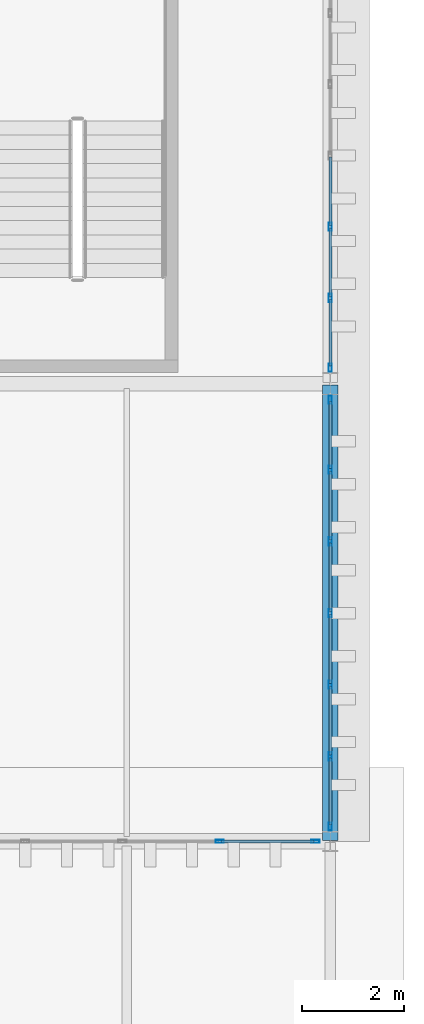
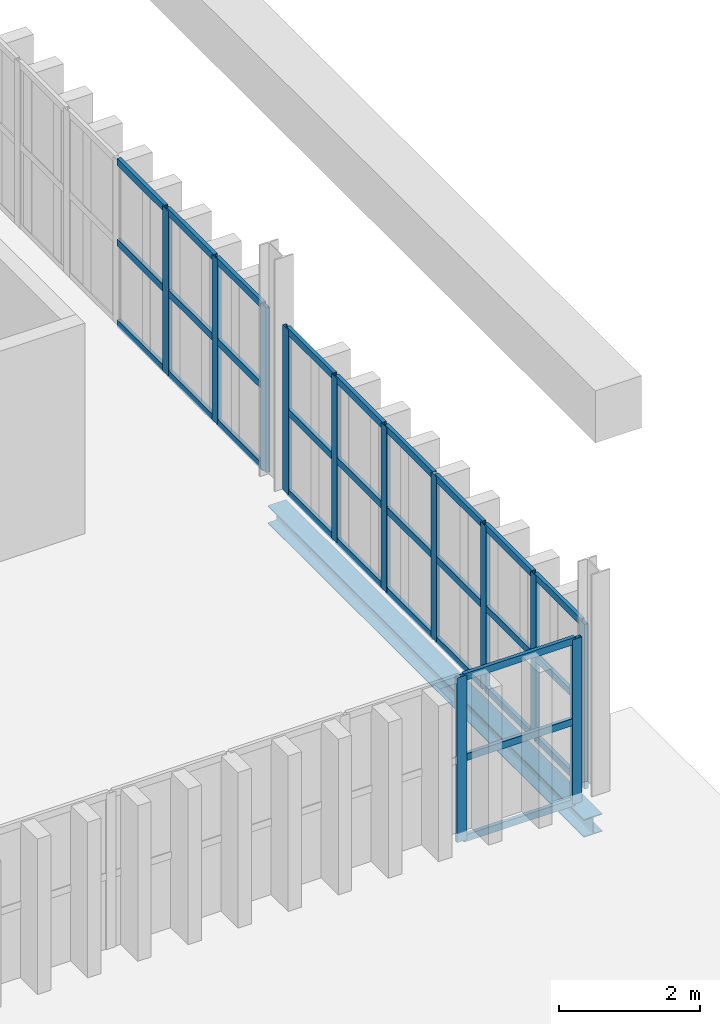
# One storey, part 49 of 102: 42 members, 1 beam, 3 elements without a shape of their own.
"""IFC4 building model written with IfcOpenShell, lengths in metres."""

from ifc_helpers import new_model, si_unit, direction, frame, origin, origin_2d, place, context, subcontext, project, spatial, hollow_rectangle, i_section, extrude, material, layer, layer_set, material_profile, profile_set, type_object, element, aggregate, save


model = new_model("IFC4")

# Units and contexts
model_context = context("Model", 3, precision=1e-05, world=origin(), true_north=direction((0.0, 1.0)))
body_context = subcontext(model_context, "Body", "Model", "MODEL_VIEW")
ifc_project = project(units=[si_unit("LENGTHUNIT", "METRE"), si_unit("AREAUNIT", "SQUARE_METRE"), si_unit("VOLUMEUNIT", "CUBIC_METRE"), si_unit("PLANEANGLEUNIT", "RADIAN"), si_unit("MASSUNIT", "GRAM", prefix="KILO")], contexts=[model_context])

# Site, building, storey
site_placement = place(None, origin())
site = spatial("IfcSite", under=ifc_project, at=site_placement, CompositionType="ELEMENT")
building_placement = place(site_placement, origin())
building = spatial("IfcBuilding", under=site, at=building_placement, Name="Barlavento Convention Centre", CompositionType="ELEMENT")
storey_placement = place(building_placement, frame((0.0, 0.0, 22.800048828125)))
storey = spatial("IfcBuildingStorey", under=building, at=storey_placement, Name="L04", CompositionType="ELEMENT", Elevation=22.800048828125)

# Curtain wall, members
ifc_material_1 = material(Name="Powder-coated aluminium and Low-E glass", Category="aluminium")
ifc_layer = layer(ifc_material_1, 0.18505859375)
ifc_layer_set = layer_set([ifc_layer], Name="ARC-CW-CONF-L04")
curtain_wall_type = type_object("IfcCurtainWallType", Name="ARC-CW-CONF-L04", PredefinedType="NOTDEFINED", material=ifc_layer_set)
curtain_wall_1_placement = place(storey_placement, origin())
curtain_wall_1 = element("IfcCurtainWall", 1, at=curtain_wall_1_placement, inside=storey, type_object=curtain_wall_type, Name="L04 unitised curtain wall CW09", PredefinedType="NOTDEFINED")
ifc_material_2 = material(Name="Powder-coated aluminium", Category="aluminium")
ifc_material_profile_1 = material_profile(ifc_material_2, hollow_rectangle(XDim=0.06005859375, YDim=0.159912109375, WallThickness=0.00390625, at=origin_2d()), Name="AL-MULL 60x160x4")
ifc_profile_set_1 = profile_set([ifc_material_profile_1], Name="Powder-coated aluminium")
member_type_1 = type_object("IfcMemberType", Name="ARC-CWM-60X160", PredefinedType="MULLION", material=ifc_profile_set_1)
member_1_placement = place(storey_placement, frame((192.0, 27.2900390625, 0.0), z_axis=(0.0, 0.0, 1.0), x_axis=(-1.0, 0.0, 0.0)))
member_1 = element("IfcMember", 2, at=member_1_placement, type_object=member_type_1, Name="CW09 mullion 1", PredefinedType="MULLION", context=body_context, shape_type="SweptSolid", body=[
    extrude(hollow_rectangle(XDim=0.06005859375, YDim=0.159912109375, WallThickness=0.00390625, at=origin_2d()), origin(), (0.0, 0.0, 1.0), 2.849853515625),
])
member_2_placement = place(storey_placement, frame((192.0, 28.669189453125, 0.0), z_axis=(0.0, 0.0, 1.0), x_axis=(-1.0, 0.0, 0.0)))
member_2 = element("IfcMember", 3, at=member_2_placement, type_object=member_type_1, Name="CW09 mullion 2", PredefinedType="MULLION", context=body_context, shape_type="SweptSolid", body=[
    extrude(hollow_rectangle(XDim=0.06005859375, YDim=0.159912109375, WallThickness=0.00390625, at=origin_2d()), origin(), (0.0, 0.0, 1.0), 2.849853515625),
])
member_3_placement = place(storey_placement, frame((192.0, 30.078369140625, 0.0), z_axis=(0.0, 0.0, 1.0), x_axis=(-1.0, 0.0, 0.0)))
member_3 = element("IfcMember", 4, at=member_3_placement, type_object=member_type_1, Name="CW09 mullion 3", PredefinedType="MULLION", context=body_context, shape_type="SweptSolid", body=[
    extrude(hollow_rectangle(XDim=0.06005859375, YDim=0.159912109375, WallThickness=0.00390625, at=origin_2d()), origin(), (0.0, 0.0, 1.0), 2.849853515625),
])
member_4_placement = place(storey_placement, frame((192.0, 31.487548828125, 0.0), z_axis=(0.0, 0.0, 1.0), x_axis=(-1.0, 0.0, 0.0)))
member_4 = element("IfcMember", 5, at=member_4_placement, type_object=member_type_1, Name="CW09 mullion 4", PredefinedType="MULLION", context=body_context, shape_type="SweptSolid", body=[
    extrude(hollow_rectangle(XDim=0.06005859375, YDim=0.159912109375, WallThickness=0.00390625, at=origin_2d()), origin(), (0.0, 0.0, 1.0), 2.849853515625),
])
member_5_placement = place(storey_placement, frame((192.0, 32.896728515625, 0.0), z_axis=(0.0, 0.0, 1.0), x_axis=(-1.0, 0.0, 0.0)))
member_5 = element("IfcMember", 6, at=member_5_placement, type_object=member_type_1, Name="CW09 mullion 5", PredefinedType="MULLION", context=body_context, shape_type="SweptSolid", body=[
    extrude(hollow_rectangle(XDim=0.06005859375, YDim=0.159912109375, WallThickness=0.00390625, at=origin_2d()), origin(), (0.0, 0.0, 1.0), 2.849853515625),
])
member_6_placement = place(storey_placement, frame((192.0, 34.305908203125, 0.0), z_axis=(0.0, 0.0, 1.0), x_axis=(-1.0, 0.0, 0.0)))
member_6 = element("IfcMember", 7, at=member_6_placement, type_object=member_type_1, Name="CW09 mullion 6", PredefinedType="MULLION", context=body_context, shape_type="SweptSolid", body=[
    extrude(hollow_rectangle(XDim=0.06005859375, YDim=0.159912109375, WallThickness=0.00390625, at=origin_2d()), origin(), (0.0, 0.0, 1.0), 2.849853515625),
])
member_7_placement = place(storey_placement, frame((192.0, 35.68505859375, 0.0), z_axis=(0.0, 0.0, 1.0), x_axis=(-1.0, 0.0, 0.0)))
member_7 = element("IfcMember", 8, at=member_7_placement, type_object=member_type_1, Name="CW09 mullion 7", PredefinedType="MULLION", context=body_context, shape_type="SweptSolid", body=[
    extrude(hollow_rectangle(XDim=0.06005859375, YDim=0.159912109375, WallThickness=0.00390625, at=origin_2d()), origin(), (0.0, 0.0, 1.0), 2.849853515625),
])

curtain_wall_2_placement = place(storey_placement, origin())
curtain_wall_2 = element("IfcCurtainWall", 9, at=curtain_wall_2_placement, inside=storey, type_object=curtain_wall_type, Name="L04 unitised curtain wall CW09", PredefinedType="NOTDEFINED")
member_8_placement = place(storey_placement, frame((192.0, 36.31494140625, 0.0), z_axis=(0.0, 0.0, 1.0), x_axis=(-1.0, 0.0, 0.0)))
member_8 = element("IfcMember", 10, at=member_8_placement, type_object=member_type_1, Name="CW09 mullion 1", PredefinedType="MULLION", context=body_context, shape_type="SweptSolid", body=[
    extrude(hollow_rectangle(XDim=0.06005859375, YDim=0.159912109375, WallThickness=0.00390625, at=origin_2d()), origin(), (0.0, 0.0, 1.0), 2.849853515625),
])
member_9_placement = place(storey_placement, frame((192.0, 37.685791015625, 0.0), z_axis=(0.0, 0.0, 1.0), x_axis=(-1.0, 0.0, 0.0)))
member_9 = element("IfcMember", 11, at=member_9_placement, type_object=member_type_1, Name="CW09 mullion 2", PredefinedType="MULLION", context=body_context, shape_type="SweptSolid", body=[
    extrude(hollow_rectangle(XDim=0.06005859375, YDim=0.159912109375, WallThickness=0.00390625, at=origin_2d()), origin(), (0.0, 0.0, 1.0), 2.849853515625),
])
member_10_placement = place(storey_placement, frame((192.0, 39.086669921875, 0.0), z_axis=(0.0, 0.0, 1.0), x_axis=(-1.0, 0.0, 0.0)))
member_10 = element("IfcMember", 12, at=member_10_placement, type_object=member_type_1, Name="CW09 mullion 3", PredefinedType="MULLION", context=body_context, shape_type="SweptSolid", body=[
    extrude(hollow_rectangle(XDim=0.06005859375, YDim=0.159912109375, WallThickness=0.00390625, at=origin_2d()), origin(), (0.0, 0.0, 1.0), 2.849853515625),
])

curtain_wall_3_placement = place(storey_placement, origin())
curtain_wall_3 = element("IfcCurtainWall", 13, at=curtain_wall_3_placement, inside=storey, type_object=curtain_wall_type, Name="L04 unitised curtain wall CW09", PredefinedType="NOTDEFINED")
member_11_placement = place(storey_placement, frame((189.82666015625, 27.0, 0.0), z_axis=(0.0, 0.0, 1.0), x_axis=(0.0, 1.0, 0.0)))
member_11 = element("IfcMember", 14, at=member_11_placement, type_object=member_type_1, Name="CW09 mullion 6", PredefinedType="MULLION", context=body_context, shape_type="SweptSolid", body=[
    extrude(hollow_rectangle(XDim=0.06005859375, YDim=0.159912109375, WallThickness=0.00390625, at=origin_2d()), origin(), (0.0, 0.0, 1.0), 2.849853515625),
])
member_12_placement = place(storey_placement, frame((191.7099609375, 27.0, 0.0), z_axis=(0.0, 0.0, 1.0), x_axis=(0.0, 1.0, 0.0)))
member_12 = element("IfcMember", 15, at=member_12_placement, type_object=member_type_1, Name="CW09 mullion 7", PredefinedType="MULLION", context=body_context, shape_type="SweptSolid", body=[
    extrude(hollow_rectangle(XDim=0.06005859375, YDim=0.159912109375, WallThickness=0.00390625, at=origin_2d()), origin(), (0.0, 0.0, 1.0), 2.849853515625),
])

# Member
ifc_material_profile_2 = material_profile(ifc_material_2, hollow_rectangle(XDim=0.06005859375, YDim=0.1201171875, WallThickness=0.00390625, at=origin_2d()), Name="AL-TRAN 60x120x4")
ifc_profile_set_2 = profile_set([ifc_material_profile_2], Name="Powder-coated aluminium")
member_type_2 = type_object("IfcMemberType", Name="ARC-CWT-60X120", PredefinedType="USERDEFINED", material=ifc_profile_set_2)
member_13_placement = place(storey_placement, frame((192.0, 27.320068359375, 0.030029296875), z_axis=(0.0, 1.0, 0.0), x_axis=(-1.0, 0.0, 0.0)))
member_13 = element("IfcMember", 16, at=member_13_placement, type_object=member_type_2, Name="CW09 transom 1.1", ObjectType="TRANSOM", PredefinedType="USERDEFINED", context=body_context, shape_type="SweptSolid", body=[
    extrude(hollow_rectangle(XDim=0.06005859375, YDim=0.1201171875, WallThickness=0.00390625, at=origin_2d()), origin(), (0.0, 0.0, 1.0), 1.319091796875),
])

member_14_placement = place(storey_placement, frame((192.0, 27.320068359375, 1.425048828125), z_axis=(0.0, 1.0, 0.0), x_axis=(-1.0, 0.0, 0.0)))
member_14 = element("IfcMember", 17, at=member_14_placement, type_object=member_type_2, Name="CW09 transom 1.2", ObjectType="TRANSOM", PredefinedType="USERDEFINED", context=body_context, shape_type="SweptSolid", body=[
    extrude(hollow_rectangle(XDim=0.06005859375, YDim=0.1201171875, WallThickness=0.00390625, at=origin_2d()), origin(), (0.0, 0.0, 1.0), 1.319091796875),
])

member_15_placement = place(storey_placement, frame((192.0, 27.320068359375, 2.820068359375), z_axis=(0.0, 1.0, 0.0), x_axis=(-1.0, 0.0, 0.0)))
member_15 = element("IfcMember", 18, at=member_15_placement, type_object=member_type_2, Name="CW09 transom 1.3", ObjectType="TRANSOM", PredefinedType="USERDEFINED", context=body_context, shape_type="SweptSolid", body=[
    extrude(hollow_rectangle(XDim=0.06005859375, YDim=0.1201171875, WallThickness=0.00390625, at=origin_2d()), origin(), (0.0, 0.0, 1.0), 1.319091796875),
])

member_16_placement = place(storey_placement, frame((192.0, 28.69921875, 0.030029296875), z_axis=(0.0, 1.0, 0.0), x_axis=(-1.0, 0.0, 0.0)))
member_16 = element("IfcMember", 19, at=member_16_placement, type_object=member_type_2, Name="CW09 transom 2.1", ObjectType="TRANSOM", PredefinedType="USERDEFINED", context=body_context, shape_type="SweptSolid", body=[
    extrude(hollow_rectangle(XDim=0.06005859375, YDim=0.1201171875, WallThickness=0.00390625, at=origin_2d()), origin(), (0.0, 0.0, 1.0), 1.34912109375),
])

member_17_placement = place(storey_placement, frame((192.0, 28.69921875, 1.425048828125), z_axis=(0.0, 1.0, 0.0), x_axis=(-1.0, 0.0, 0.0)))
member_17 = element("IfcMember", 20, at=member_17_placement, type_object=member_type_2, Name="CW09 transom 2.2", ObjectType="TRANSOM", PredefinedType="USERDEFINED", context=body_context, shape_type="SweptSolid", body=[
    extrude(hollow_rectangle(XDim=0.06005859375, YDim=0.1201171875, WallThickness=0.00390625, at=origin_2d()), origin(), (0.0, 0.0, 1.0), 1.34912109375),
])

member_18_placement = place(storey_placement, frame((192.0, 28.69921875, 2.820068359375), z_axis=(0.0, 1.0, 0.0), x_axis=(-1.0, 0.0, 0.0)))
member_18 = element("IfcMember", 21, at=member_18_placement, type_object=member_type_2, Name="CW09 transom 2.3", ObjectType="TRANSOM", PredefinedType="USERDEFINED", context=body_context, shape_type="SweptSolid", body=[
    extrude(hollow_rectangle(XDim=0.06005859375, YDim=0.1201171875, WallThickness=0.00390625, at=origin_2d()), origin(), (0.0, 0.0, 1.0), 1.34912109375),
])

member_19_placement = place(storey_placement, frame((192.0, 30.1083984375, 0.030029296875), z_axis=(0.0, 1.0, 0.0), x_axis=(-1.0, 0.0, 0.0)))
member_19 = element("IfcMember", 22, at=member_19_placement, type_object=member_type_2, Name="CW09 transom 3.1", ObjectType="TRANSOM", PredefinedType="USERDEFINED", context=body_context, shape_type="SweptSolid", body=[
    extrude(hollow_rectangle(XDim=0.06005859375, YDim=0.1201171875, WallThickness=0.00390625, at=origin_2d()), origin(), (0.0, 0.0, 1.0), 1.34912109375),
])

member_20_placement = place(storey_placement, frame((192.0, 30.1083984375, 1.425048828125), z_axis=(0.0, 1.0, 0.0), x_axis=(-1.0, 0.0, 0.0)))
member_20 = element("IfcMember", 23, at=member_20_placement, type_object=member_type_2, Name="CW09 transom 3.2", ObjectType="TRANSOM", PredefinedType="USERDEFINED", context=body_context, shape_type="SweptSolid", body=[
    extrude(hollow_rectangle(XDim=0.06005859375, YDim=0.1201171875, WallThickness=0.00390625, at=origin_2d()), origin(), (0.0, 0.0, 1.0), 1.34912109375),
])

member_21_placement = place(storey_placement, frame((192.0, 30.1083984375, 2.820068359375), z_axis=(0.0, 1.0, 0.0), x_axis=(-1.0, 0.0, 0.0)))
member_21 = element("IfcMember", 24, at=member_21_placement, type_object=member_type_2, Name="CW09 transom 3.3", ObjectType="TRANSOM", PredefinedType="USERDEFINED", context=body_context, shape_type="SweptSolid", body=[
    extrude(hollow_rectangle(XDim=0.06005859375, YDim=0.1201171875, WallThickness=0.00390625, at=origin_2d()), origin(), (0.0, 0.0, 1.0), 1.34912109375),
])

member_22_placement = place(storey_placement, frame((192.0, 31.517578125, 0.030029296875), z_axis=(0.0, 1.0, 0.0), x_axis=(-1.0, 0.0, 0.0)))
member_22 = element("IfcMember", 25, at=member_22_placement, type_object=member_type_2, Name="CW09 transom 4.1", ObjectType="TRANSOM", PredefinedType="USERDEFINED", context=body_context, shape_type="SweptSolid", body=[
    extrude(hollow_rectangle(XDim=0.06005859375, YDim=0.1201171875, WallThickness=0.00390625, at=origin_2d()), origin(), (0.0, 0.0, 1.0), 1.34912109375),
])

member_23_placement = place(storey_placement, frame((192.0, 31.517578125, 1.425048828125), z_axis=(0.0, 1.0, 0.0), x_axis=(-1.0, 0.0, 0.0)))
member_23 = element("IfcMember", 26, at=member_23_placement, type_object=member_type_2, Name="CW09 transom 4.2", ObjectType="TRANSOM", PredefinedType="USERDEFINED", context=body_context, shape_type="SweptSolid", body=[
    extrude(hollow_rectangle(XDim=0.06005859375, YDim=0.1201171875, WallThickness=0.00390625, at=origin_2d()), origin(), (0.0, 0.0, 1.0), 1.34912109375),
])

member_24_placement = place(storey_placement, frame((192.0, 31.517578125, 2.820068359375), z_axis=(0.0, 1.0, 0.0), x_axis=(-1.0, 0.0, 0.0)))
member_24 = element("IfcMember", 27, at=member_24_placement, type_object=member_type_2, Name="CW09 transom 4.3", ObjectType="TRANSOM", PredefinedType="USERDEFINED", context=body_context, shape_type="SweptSolid", body=[
    extrude(hollow_rectangle(XDim=0.06005859375, YDim=0.1201171875, WallThickness=0.00390625, at=origin_2d()), origin(), (0.0, 0.0, 1.0), 1.34912109375),
])

member_25_placement = place(storey_placement, frame((192.0, 32.9267578125, 0.030029296875), z_axis=(0.0, 1.0, 0.0), x_axis=(-1.0, 0.0, 0.0)))
member_25 = element("IfcMember", 28, at=member_25_placement, type_object=member_type_2, Name="CW09 transom 5.1", ObjectType="TRANSOM", PredefinedType="USERDEFINED", context=body_context, shape_type="SweptSolid", body=[
    extrude(hollow_rectangle(XDim=0.06005859375, YDim=0.1201171875, WallThickness=0.00390625, at=origin_2d()), origin(), (0.0, 0.0, 1.0), 1.34912109375),
])

member_26_placement = place(storey_placement, frame((192.0, 32.9267578125, 1.425048828125), z_axis=(0.0, 1.0, 0.0), x_axis=(-1.0, 0.0, 0.0)))
member_26 = element("IfcMember", 29, at=member_26_placement, type_object=member_type_2, Name="CW09 transom 5.2", ObjectType="TRANSOM", PredefinedType="USERDEFINED", context=body_context, shape_type="SweptSolid", body=[
    extrude(hollow_rectangle(XDim=0.06005859375, YDim=0.1201171875, WallThickness=0.00390625, at=origin_2d()), origin(), (0.0, 0.0, 1.0), 1.34912109375),
])

member_27_placement = place(storey_placement, frame((192.0, 32.9267578125, 2.820068359375), z_axis=(0.0, 1.0, 0.0), x_axis=(-1.0, 0.0, 0.0)))
member_27 = element("IfcMember", 30, at=member_27_placement, type_object=member_type_2, Name="CW09 transom 5.3", ObjectType="TRANSOM", PredefinedType="USERDEFINED", context=body_context, shape_type="SweptSolid", body=[
    extrude(hollow_rectangle(XDim=0.06005859375, YDim=0.1201171875, WallThickness=0.00390625, at=origin_2d()), origin(), (0.0, 0.0, 1.0), 1.34912109375),
])

member_28_placement = place(storey_placement, frame((192.0, 34.3359375, 0.030029296875), z_axis=(0.0, 1.0, 0.0), x_axis=(-1.0, 0.0, 0.0)))
member_28 = element("IfcMember", 31, at=member_28_placement, type_object=member_type_2, Name="CW09 transom 6.1", ObjectType="TRANSOM", PredefinedType="USERDEFINED", context=body_context, shape_type="SweptSolid", body=[
    extrude(hollow_rectangle(XDim=0.06005859375, YDim=0.1201171875, WallThickness=0.00390625, at=origin_2d()), origin(), (0.0, 0.0, 1.0), 1.319091796875),
])

member_29_placement = place(storey_placement, frame((192.0, 34.3359375, 1.425048828125), z_axis=(0.0, 1.0, 0.0), x_axis=(-1.0, 0.0, 0.0)))
member_29 = element("IfcMember", 32, at=member_29_placement, type_object=member_type_2, Name="CW09 transom 6.2", ObjectType="TRANSOM", PredefinedType="USERDEFINED", context=body_context, shape_type="SweptSolid", body=[
    extrude(hollow_rectangle(XDim=0.06005859375, YDim=0.1201171875, WallThickness=0.00390625, at=origin_2d()), origin(), (0.0, 0.0, 1.0), 1.319091796875),
])

member_30_placement = place(storey_placement, frame((192.0, 34.3359375, 2.820068359375), z_axis=(0.0, 1.0, 0.0), x_axis=(-1.0, 0.0, 0.0)))
member_30 = element("IfcMember", 33, at=member_30_placement, type_object=member_type_2, Name="CW09 transom 6.3", ObjectType="TRANSOM", PredefinedType="USERDEFINED", context=body_context, shape_type="SweptSolid", body=[
    extrude(hollow_rectangle(XDim=0.06005859375, YDim=0.1201171875, WallThickness=0.00390625, at=origin_2d()), origin(), (0.0, 0.0, 1.0), 1.319091796875),
])

aggregate(curtain_wall_1, [member_1, member_2, member_3, member_4, member_5, member_6, member_7, member_13, member_14, member_15, member_16, member_17, member_18, member_19, member_20, member_21, member_22, member_23, member_24, member_25, member_26, member_27, member_28, member_29, member_30])

member_31_placement = place(storey_placement, frame((192.0, 36.344970703125, 0.030029296875), z_axis=(0.0, 1.0, 0.0), x_axis=(-1.0, 0.0, 0.0)))
member_31 = element("IfcMember", 34, at=member_31_placement, type_object=member_type_2, Name="CW09 transom 1.1", ObjectType="TRANSOM", PredefinedType="USERDEFINED", context=body_context, shape_type="SweptSolid", body=[
    extrude(hollow_rectangle(XDim=0.06005859375, YDim=0.1201171875, WallThickness=0.00390625, at=origin_2d()), origin(), (0.0, 0.0, 1.0), 1.310791015625),
])

member_32_placement = place(storey_placement, frame((192.0, 36.344970703125, 1.425048828125), z_axis=(0.0, 1.0, 0.0), x_axis=(-1.0, 0.0, 0.0)))
member_32 = element("IfcMember", 35, at=member_32_placement, type_object=member_type_2, Name="CW09 transom 1.2", ObjectType="TRANSOM", PredefinedType="USERDEFINED", context=body_context, shape_type="SweptSolid", body=[
    extrude(hollow_rectangle(XDim=0.06005859375, YDim=0.1201171875, WallThickness=0.00390625, at=origin_2d()), origin(), (0.0, 0.0, 1.0), 1.310791015625),
])

member_33_placement = place(storey_placement, frame((192.0, 36.344970703125, 2.820068359375), z_axis=(0.0, 1.0, 0.0), x_axis=(-1.0, 0.0, 0.0)))
member_33 = element("IfcMember", 36, at=member_33_placement, type_object=member_type_2, Name="CW09 transom 1.3", ObjectType="TRANSOM", PredefinedType="USERDEFINED", context=body_context, shape_type="SweptSolid", body=[
    extrude(hollow_rectangle(XDim=0.06005859375, YDim=0.1201171875, WallThickness=0.00390625, at=origin_2d()), origin(), (0.0, 0.0, 1.0), 1.310791015625),
])

member_34_placement = place(storey_placement, frame((192.0, 37.7158203125, 0.030029296875), z_axis=(0.0, 1.0, 0.0), x_axis=(-1.0, 0.0, 0.0)))
member_34 = element("IfcMember", 37, at=member_34_placement, type_object=member_type_2, Name="CW09 transom 2.1", ObjectType="TRANSOM", PredefinedType="USERDEFINED", context=body_context, shape_type="SweptSolid", body=[
    extrude(hollow_rectangle(XDim=0.06005859375, YDim=0.1201171875, WallThickness=0.00390625, at=origin_2d()), origin(), (0.0, 0.0, 1.0), 1.3408203125),
])

member_35_placement = place(storey_placement, frame((192.0, 37.7158203125, 1.425048828125), z_axis=(0.0, 1.0, 0.0), x_axis=(-1.0, 0.0, 0.0)))
member_35 = element("IfcMember", 38, at=member_35_placement, type_object=member_type_2, Name="CW09 transom 2.2", ObjectType="TRANSOM", PredefinedType="USERDEFINED", context=body_context, shape_type="SweptSolid", body=[
    extrude(hollow_rectangle(XDim=0.06005859375, YDim=0.1201171875, WallThickness=0.00390625, at=origin_2d()), origin(), (0.0, 0.0, 1.0), 1.3408203125),
])

member_36_placement = place(storey_placement, frame((192.0, 37.7158203125, 2.820068359375), z_axis=(0.0, 1.0, 0.0), x_axis=(-1.0, 0.0, 0.0)))
member_36 = element("IfcMember", 39, at=member_36_placement, type_object=member_type_2, Name="CW09 transom 2.3", ObjectType="TRANSOM", PredefinedType="USERDEFINED", context=body_context, shape_type="SweptSolid", body=[
    extrude(hollow_rectangle(XDim=0.06005859375, YDim=0.1201171875, WallThickness=0.00390625, at=origin_2d()), origin(), (0.0, 0.0, 1.0), 1.3408203125),
])

member_37_placement = place(storey_placement, frame((192.0, 39.11669921875, 0.030029296875), z_axis=(0.0, 1.0, 0.0), x_axis=(-1.0, 0.0, 0.0)))
member_37 = element("IfcMember", 40, at=member_37_placement, type_object=member_type_2, Name="CW09 transom 3.1", ObjectType="TRANSOM", PredefinedType="USERDEFINED", context=body_context, shape_type="SweptSolid", body=[
    extrude(hollow_rectangle(XDim=0.06005859375, YDim=0.1201171875, WallThickness=0.00390625, at=origin_2d()), origin(), (0.0, 0.0, 1.0), 1.3408203125),
])

member_38_placement = place(storey_placement, frame((192.0, 39.11669921875, 1.425048828125), z_axis=(0.0, 1.0, 0.0), x_axis=(-1.0, 0.0, 0.0)))
member_38 = element("IfcMember", 41, at=member_38_placement, type_object=member_type_2, Name="CW09 transom 3.2", ObjectType="TRANSOM", PredefinedType="USERDEFINED", context=body_context, shape_type="SweptSolid", body=[
    extrude(hollow_rectangle(XDim=0.06005859375, YDim=0.1201171875, WallThickness=0.00390625, at=origin_2d()), origin(), (0.0, 0.0, 1.0), 1.3408203125),
])

member_39_placement = place(storey_placement, frame((192.0, 39.11669921875, 2.820068359375), z_axis=(0.0, 1.0, 0.0), x_axis=(-1.0, 0.0, 0.0)))
member_39 = element("IfcMember", 42, at=member_39_placement, type_object=member_type_2, Name="CW09 transom 3.3", ObjectType="TRANSOM", PredefinedType="USERDEFINED", context=body_context, shape_type="SweptSolid", body=[
    extrude(hollow_rectangle(XDim=0.06005859375, YDim=0.1201171875, WallThickness=0.00390625, at=origin_2d()), origin(), (0.0, 0.0, 1.0), 1.3408203125),
])

aggregate(curtain_wall_2, [member_8, member_9, member_10, member_31, member_32, member_33, member_34, member_35, member_36, member_37, member_38, member_39])

member_40_placement = place(storey_placement, frame((189.856689453125, 27.0, 0.030029296875), z_axis=(1.0, 0.0, 0.0), x_axis=(0.0, 1.0, 0.0)))
member_40 = element("IfcMember", 43, at=member_40_placement, type_object=member_type_2, Name="CW09 transom 6.1", ObjectType="TRANSOM", PredefinedType="USERDEFINED", context=body_context, shape_type="SweptSolid", body=[
    extrude(hollow_rectangle(XDim=0.06005859375, YDim=0.1201171875, WallThickness=0.00390625, at=origin_2d()), origin(), (0.0, 0.0, 1.0), 1.8232421875),
])

member_41_placement = place(storey_placement, frame((189.856689453125, 27.0, 1.425048828125), z_axis=(1.0, 0.0, 0.0), x_axis=(0.0, 1.0, 0.0)))
member_41 = element("IfcMember", 44, at=member_41_placement, type_object=member_type_2, Name="CW09 transom 6.2", ObjectType="TRANSOM", PredefinedType="USERDEFINED", context=body_context, shape_type="SweptSolid", body=[
    extrude(hollow_rectangle(XDim=0.06005859375, YDim=0.1201171875, WallThickness=0.00390625, at=origin_2d()), origin(), (0.0, 0.0, 1.0), 1.8232421875),
])

member_42_placement = place(storey_placement, frame((189.856689453125, 27.0, 2.820068359375), z_axis=(1.0, 0.0, 0.0), x_axis=(0.0, 1.0, 0.0)))
member_42 = element("IfcMember", 45, at=member_42_placement, type_object=member_type_2, Name="CW09 transom 6.3", ObjectType="TRANSOM", PredefinedType="USERDEFINED", context=body_context, shape_type="SweptSolid", body=[
    extrude(hollow_rectangle(XDim=0.06005859375, YDim=0.1201171875, WallThickness=0.00390625, at=origin_2d()), origin(), (0.0, 0.0, 1.0), 1.8232421875),
])

aggregate(curtain_wall_3, [member_11, member_12, member_40, member_41, member_42])

# Beam
ifc_material_3 = material(Name="Steel S355", Category="steel")
ifc_material_profile_3 = material_profile(ifc_material_3, i_section(OverallWidth=0.300048828125, OverallDepth=0.31005859375, WebThickness=0.009033203125, FlangeThickness=0.015380859375, FilletRadius=0.027099609375, at=origin_2d()), Name="HEA 320")
ifc_profile_set_3 = profile_set([ifc_material_profile_3], Name="Steel S355")
beam_type = type_object("IfcBeamType", Name="STR-BM-SPN-HEA320", PredefinedType="SPANDREL", material=ifc_profile_set_3)
beam_placement = place(storey_placement, frame((192.0, 27.02001953125, -0.52001953125), z_axis=(0.0, 1.0, 0.0), x_axis=(-1.0, 0.0, 0.0)))
element("IfcBeam", 46, at=beam_placement, inside=storey, type_object=beam_type, Name="L04 grid girder SP01", PredefinedType="SPANDREL", context=body_context, shape_type="SweptSolid", body=[
    extrude(i_section(OverallWidth=0.300048828125, OverallDepth=0.31005859375, WebThickness=0.009033203125, FlangeThickness=0.015380859375, FilletRadius=0.027099609375, at=origin_2d()), origin(), (0.0, 0.0, 1.0), 8.9599609375),
])

save(model, "model.ifc")
